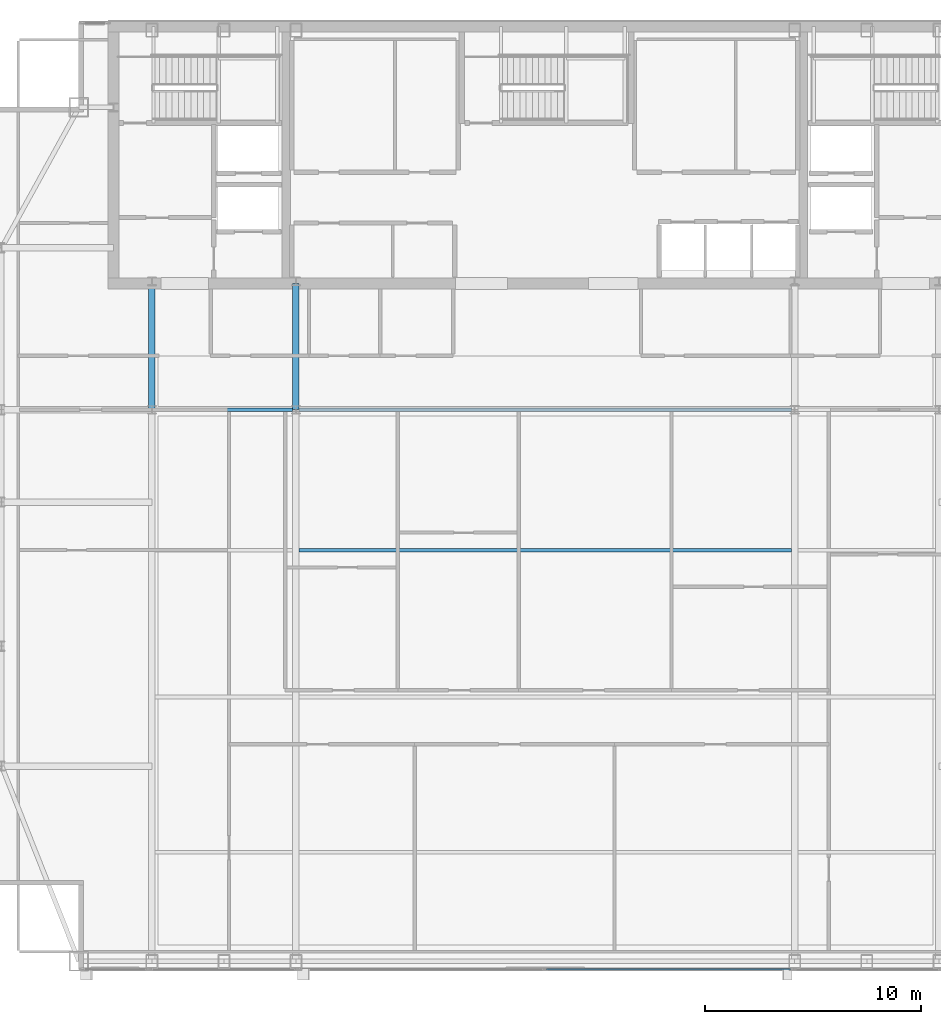
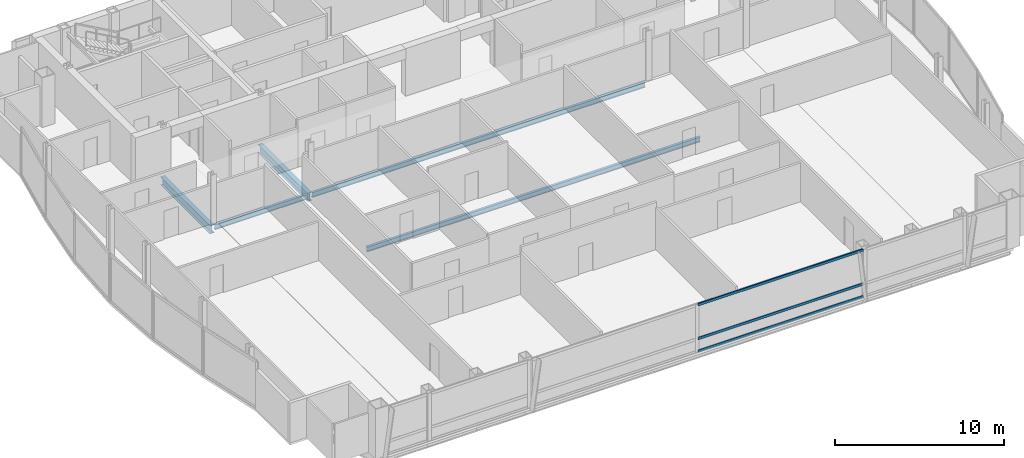
# One storey, part 13 of 29: 5 beams, 3 members, 1 element without a shape of its own.
"""IFC4 building model written with IfcOpenShell, lengths in metres."""

import ifcopenshell
import ifcopenshell.guid

model = None  # the IFC model being written
_history = None  # IfcOwnerHistory: only IFC2X3 demands one
_inside = {}  # id of a spatial element -> (the spatial element, [elements in it])
_under = {}  # id of a project, library or spatial element -> (it, [spatial elements below it])
_declared = {}  # id of a project -> (the project, [libraries it declares])
_typed = {}  # id of a type object -> (the type object, [elements of that type])
_made_of = {}  # id of a material, layer set ... -> (it, [elements and type objects made of it])


def new_model(schema):
    """Start an empty IFC model of exactly this schema.

    Asked for "IFC4X3", IfcOpenShell would pick the latest addendum, in which some entities
    have other attributes; the version numbers below select the first issue.
    IFC2X3 requires an IfcOwnerHistory on every rooted entity: one is made here for all.
    """
    global model, _history
    if schema == "IFC4X3":
        model = ifcopenshell.file(schema_version=(4, 3, 0, 0))
    else:
        model = ifcopenshell.file(schema=schema)
    _inside.clear()
    _under.clear()
    _declared.clear()
    _typed.clear()
    _made_of.clear()
    _history = None
    if model.schema == "IFC2X3":
        org = make("IfcOrganization", Name="unknown")
        user = make(
            "IfcPersonAndOrganization",
            ThePerson=make("IfcPerson", FamilyName="unknown"),
            TheOrganization=org,
        )
        app = make(
            "IfcApplication",
            ApplicationDeveloper=org,
            Version="unknown",
            ApplicationFullName="unknown",
            ApplicationIdentifier="unknown",
        )
        _history = make(
            "IfcOwnerHistory",
            OwningUser=user,
            OwningApplication=app,
            ChangeAction="ADDED",
            CreationDate=0,
        )
    return model


def make(cls, **values):
    """One entity of the class cls with the attributes given. An attribute that is None is left unset."""
    return model.create_entity(
        cls, **{name: value for name, value in values.items() if value is not None}
    )


def rooted(cls, **values):
    """An entity with a GlobalId (a new one), such as an element, a storey or a relation."""
    return make(cls, GlobalId=ifcopenshell.guid.new(), OwnerHistory=_history, **values)


def si_unit(unit_type, name, prefix=None):
    """IfcSIUnit, for example si_unit("LENGTHUNIT", "METRE", prefix="MILLI")."""
    return make("IfcSIUnit", UnitType=unit_type, Prefix=prefix, Name=name)


def assignment(units):
    """IfcUnitAssignment: the units of a project."""
    return None if units is None else make("IfcUnitAssignment", Units=units)


def point(xyz):
    """IfcCartesianPoint."""
    return None if xyz is None else make("IfcCartesianPoint", Coordinates=xyz)


def direction(xyz):
    """IfcDirection."""
    return None if xyz is None else make("IfcDirection", DirectionRatios=xyz)


def frame(location, z_axis=None, x_axis=None):
    """IfcAxis2Placement3D, a coordinate frame: its origin and axes. An axis left out is left unset."""
    return make(
        "IfcAxis2Placement3D",
        Location=point(location),
        Axis=direction(z_axis),
        RefDirection=direction(x_axis),
    )


def frame_2d(location, x_axis=None):
    """IfcAxis2Placement2D, a coordinate frame in the plane: its origin and x axis."""
    return make(
        "IfcAxis2Placement2D", Location=point(location), RefDirection=direction(x_axis)
    )


def origin():
    """The frame at (0, 0, 0) with its axes left unset."""
    return frame((0.0, 0.0, 0.0))


def origin_2d():
    """The frame at (0, 0) in the plane with its x axis left unset."""
    return frame_2d((0.0, 0.0))


def place(relative_to, where):
    """IfcLocalPlacement: puts the frame where relative to a parent placement (None: the world)."""
    return make(
        "IfcLocalPlacement", PlacementRelTo=relative_to, RelativePlacement=where
    )


def context(
    kind, dimensions, precision=None, world=None, true_north=None, identifier=None
):
    """IfcGeometricRepresentationContext, for example the 3D "Model" context."""
    return make(
        "IfcGeometricRepresentationContext",
        ContextIdentifier=identifier,
        ContextType=kind,
        CoordinateSpaceDimension=dimensions,
        Precision=precision,
        WorldCoordinateSystem=world,
        TrueNorth=true_north,
    )


def subcontext(parent, identifier, kind, view, scale=None):
    """IfcGeometricRepresentationSubContext, for example "Body" below "Model"."""
    return make(
        "IfcGeometricRepresentationSubContext",
        ContextIdentifier=identifier,
        ContextType=kind,
        ParentContext=parent,
        TargetScale=scale,
        TargetView=view,
    )


def project(units=None, contexts=None):
    """IfcProject with its units and contexts."""
    return rooted(
        "IfcProject",
        Name="project",
        RepresentationContexts=contexts,
        UnitsInContext=assignment(units),
    )


def spatial(cls, under=None, at=None, **own):
    """A site, building, storey or space (cls), placed at a placement, below another one or the project."""
    s = rooted(cls, ObjectPlacement=at, **own)
    if under is not None:
        _under.setdefault(under.id(), (under, []))[1].append(s)
    return s


def profile(cls, at=None, kind="AREA", **sizes):
    """A parametric profile (cls). Its sizes go by their IFC names, for example OverallWidth=200.0."""
    return make(cls, ProfileType=kind, Position=at, **sizes)


def hollow_rectangle(**sizes):
    """IfcRectangleHollowProfileDef."""
    return profile("IfcRectangleHollowProfileDef", **sizes)


def i_section(**sizes):
    """IfcIShapeProfileDef."""
    return profile("IfcIShapeProfileDef", **sizes)


def extrude(swept, where, along, depth):
    """IfcExtrudedAreaSolid: the profile swept, set in the frame where, extruded along a direction by depth."""
    return make(
        "IfcExtrudedAreaSolid",
        SweptArea=swept,
        Position=where,
        ExtrudedDirection=direction(along),
        Depth=depth,
    )


def shape(context_of_items, identifier, shape_type, items):
    """IfcShapeRepresentation: the items that make up one representation, for example the "Body"."""
    return make(
        "IfcShapeRepresentation",
        ContextOfItems=context_of_items,
        RepresentationIdentifier=identifier,
        RepresentationType=shape_type,
        Items=items,
    )


def material(Name=None, Category=None):
    """IfcMaterial."""
    return make("IfcMaterial", Name=Name, Category=Category)


def material_profile(
    of_material, cross_section, Name=None, Category=None, Priority=None
):
    """IfcMaterialProfile: a cross section and its material."""
    return make(
        "IfcMaterialProfile",
        Name=Name,
        Material=of_material,
        Profile=cross_section,
        Priority=Priority,
        Category=Category,
    )


def profile_set(profiles, Name=None, composite=None):
    """IfcMaterialProfileSet."""
    return make(
        "IfcMaterialProfileSet",
        Name=Name,
        MaterialProfiles=profiles,
        CompositeProfile=composite,
    )


def made_of(thing, what):
    """Note that an element or type object is made of a material, layer set ...; save() writes the relation."""
    if what is not None:
        _made_of.setdefault(what.id(), (what, []))[1].append(thing)
    return thing


def type_object(cls, material=None, **own):
    """A type object (cls), such as IfcWallType, which elements share."""
    return made_of(rooted(cls, **own), material)


def element(
    cls,
    number,
    at=None,
    inside=None,
    cuts=None,
    type_object=None,
    material=None,
    context=None,
    identifier="Body",
    shape_type=None,
    held_by="IfcProductDefinitionShape",
    body=None,
    shapes=None,
    **own,
):
    """One element of the class cls, such as IfcWall. Its Tag is "e" and its number.

    at: its placement. inside: the storey or other place that contains it. cuts: it is an
    opening in that element (IfcRelVoidsElement). A single representation is given by context,
    identifier, shape_type and body (its items); several are given by shapes. held_by: the class
    of the entity that holds the representations. save() writes the other relations.
    """
    e = rooted(cls, Tag="e%d" % number, ObjectPlacement=at, **own)
    if body is not None:
        shapes = [shape(context, identifier, shape_type, body)]
    if shapes is not None:
        e.Representation = make(held_by, Representations=shapes)
    if inside is not None:
        _inside.setdefault(inside.id(), (inside, []))[1].append(e)
    if cuts is not None:
        rooted(
            "IfcRelVoidsElement", RelatingBuildingElement=cuts, RelatedOpeningElement=e
        )
    if type_object is not None:
        _typed.setdefault(type_object.id(), (type_object, []))[1].append(e)
    return made_of(e, material)


def aggregate(whole, parts):
    """IfcRelAggregates: a whole, such as a stair, and the parts it consists of."""
    return rooted("IfcRelAggregates", RelatingObject=whole, RelatedObjects=parts)


def save(model, path):
    """Write the relations noted so far, then the file.

    IfcRelAggregates (storeys below a building ...), IfcRelContainedInSpatialStructure (elements
    in a storey), IfcRelDefinesByType, IfcRelAssociatesMaterial and IfcRelDeclares: one each for
    every whole, place, type object, material and project.
    """
    for whole, parts in _under.values():
        aggregate(whole, parts)
    for where, things in _inside.values():
        rooted(
            "IfcRelContainedInSpatialStructure",
            RelatedElements=things,
            RelatingStructure=where,
        )
    for kind, things in _typed.values():
        rooted("IfcRelDefinesByType", RelatedObjects=things, RelatingType=kind)
    for what, things in _made_of.values():
        rooted("IfcRelAssociatesMaterial", RelatedObjects=things, RelatingMaterial=what)
    for by, libraries in _declared.values():
        rooted("IfcRelDeclares", RelatingContext=by, RelatedDefinitions=libraries)
    model.write(path)


model = new_model("IFC4")

# Units and contexts
model_context = context("Model", 3, precision=1e-05, world=origin(), true_north=direction((0.0, 1.0)))
body_context = subcontext(model_context, "Body", "Model", "MODEL_VIEW")
ifc_project = project(units=[si_unit("LENGTHUNIT", "METRE"), si_unit("AREAUNIT", "SQUARE_METRE"), si_unit("VOLUMEUNIT", "CUBIC_METRE"), si_unit("PLANEANGLEUNIT", "RADIAN"), si_unit("MASSUNIT", "GRAM", prefix="KILO")], contexts=[model_context])

# Site, building, storey
site_placement = place(None, origin())
site = spatial("IfcSite", under=ifc_project, at=site_placement, CompositionType="ELEMENT")
building_placement = place(site_placement, origin())
building = spatial("IfcBuilding", under=site, at=building_placement, Name="Khoronbel Lancet Exchange", CompositionType="ELEMENT")
storey_placement = place(building_placement, frame((0.0, 0.0, 329.0)))
storey = spatial("IfcBuildingStorey", under=building, at=storey_placement, Name="L85", CompositionType="ELEMENT", Elevation=329.0)

# Beams
ifc_material_1 = material(Name="Steel S355", Category="steel")
ifc_material_profile_1 = material_profile(ifc_material_1, i_section(OverallWidth=0.300048828125, OverallDepth=0.60009765625, WebThickness=0.015380859375, FlangeThickness=0.030029296875, at=origin_2d()), Name="HEB 600")
ifc_profile_set_1 = profile_set([ifc_material_profile_1], Name="Steel S355")
beam_type_1 = type_object("IfcBeamType", Name="BM-BG5", PredefinedType="BEAM", material=ifc_profile_set_1)
for number, where, z_axis, x_axis, name in (
    (1, (18.22509765625, 35.699951171875, -0.4599609375), (0.0, 1.0, 0.0), (-1.0, 0.0, 0.0), "Level L85 spine tie girder GN1"),
    (2, (24.89990234375, 35.699951171875, -0.4599609375), (0.0, 1.0, 0.0), (-1.0, 0.0, 0.0), "Level L85 spine tie girder GN2"),
):
    element("IfcBeam", number, at=place(storey_placement, frame(where, z_axis=z_axis, x_axis=x_axis)), inside=storey, type_object=beam_type_1, Name=name, PredefinedType="BEAM", context=body_context, shape_type="SweptSolid", body=[
        extrude(i_section(OverallWidth=0.300048828125, OverallDepth=0.60009765625, WebThickness=0.015380859375, FlangeThickness=0.030029296875, at=origin_2d()), origin(), (0.0, 0.0, 1.0), 5.85009765625),
    ])
ifc_material_profile_2 = material_profile(ifc_material_1, i_section(OverallWidth=0.169921875, OverallDepth=0.360107421875, WebThickness=0.008056640625, FlangeThickness=0.0126953125, at=origin_2d()), Name="IPE 360")
ifc_profile_set_2 = profile_set([ifc_material_profile_2], Name="Steel S355")
beam_type_2 = type_object("IfcBeamType", Name="BM-BJ6", PredefinedType="JOIST", material=ifc_profile_set_2)
beam_1_placement = place(storey_placement, frame((25.050048828125, 29.199951171875, -0.340087890625), z_axis=(1.0, 0.0, 0.0), x_axis=(0.0, 1.0, 0.0)))
element("IfcBeam", 3, at=beam_1_placement, inside=storey, type_object=beam_type_2, Name="Level L85 secondary composite joist J08", PredefinedType="JOIST", context=body_context, shape_type="SweptSolid", body=[
    extrude(i_section(OverallWidth=0.169921875, OverallDepth=0.360107421875, WebThickness=0.008056640625, FlangeThickness=0.0126953125, at=origin_2d()), origin(), (0.0, 0.0, 1.0), 22.800048828125),
])
beam_2_placement = place(storey_placement, frame((18.375, 35.699951171875, -0.340087890625), z_axis=(1.0, 0.0, 0.0), x_axis=(0.0, 1.0, 0.0)))
element("IfcBeam", 4, at=beam_2_placement, inside=storey, type_object=beam_type_2, Name="Level L85 secondary composite joist J10", PredefinedType="JOIST", context=body_context, shape_type="SweptSolid", body=[
    extrude(i_section(OverallWidth=0.169921875, OverallDepth=0.360107421875, WebThickness=0.008056640625, FlangeThickness=0.0126953125, at=origin_2d()), origin(), (0.0, 0.0, 1.0), 6.375),
])
beam_3_placement = place(storey_placement, frame((25.050048828125, 35.699951171875, -0.340087890625), z_axis=(1.0, 0.0, 0.0), x_axis=(0.0, 1.0, 0.0)))
element("IfcBeam", 5, at=beam_3_placement, inside=storey, type_object=beam_type_2, Name="Level L85 secondary composite joist J11", PredefinedType="JOIST", context=body_context, shape_type="SweptSolid", body=[
    extrude(i_section(OverallWidth=0.169921875, OverallDepth=0.360107421875, WebThickness=0.008056640625, FlangeThickness=0.0126953125, at=origin_2d()), origin(), (0.0, 0.0, 1.0), 22.800048828125),
])

# Curtain wall, members
ifc_material_2 = material(Name="Low-E Solar Control Insulating Glass", Category="glass")
curtain_wall_type = type_object("IfcCurtainWallType", Name="CW-3", PredefinedType="NOTDEFINED", material=ifc_material_2)
curtain_wall_placement = place(storey_placement, origin())
curtain_wall = element("IfcCurtainWall", 6, at=curtain_wall_placement, inside=storey, type_object=curtain_wall_type, Name="Unitised curtain wall CW-L85-SCV", PredefinedType="NOTDEFINED")
ifc_material_3 = material(Name="Bronze-Anodised Aluminium 6063-T6", Category="aluminium")
ifc_material_profile_3 = material_profile(ifc_material_3, hollow_rectangle(XDim=0.0849609375, YDim=0.179931640625, WallThickness=0.0048828125, at=origin_2d()), Name="ALU TRANSOM 85x180")
ifc_profile_set_3 = profile_set([ifc_material_profile_3], Name="Bronze-Anodised Aluminium 6063-T6")
member_type = type_object("IfcMemberType", Name="MEM-CWT1", PredefinedType="USERDEFINED", material=ifc_profile_set_3)
member_1_placement = place(storey_placement, frame((36.492431640625, 9.7900390625, 0.04248046875), z_axis=(1.0, 0.0, 0.0), x_axis=(0.0, 1.0, 0.0)))
member_1 = element("IfcMember", 7, at=member_1_placement, type_object=member_type, Name="CW3 transom 2.1", ObjectType="TRANSOM", PredefinedType="USERDEFINED", context=body_context, shape_type="SweptSolid", body=[
    extrude(hollow_rectangle(XDim=0.0849609375, YDim=0.179931640625, WallThickness=0.0048828125, at=origin_2d()), origin(), (0.0, 0.0, 1.0), 11.322509765625),
])
member_2_placement = place(storey_placement, frame((36.492431640625, 9.7900390625, 0.949951171875), z_axis=(1.0, 0.0, 0.0), x_axis=(0.0, 1.0, 0.0)))
member_2 = element("IfcMember", 8, at=member_2_placement, type_object=member_type, Name="CW3 transom 2.2", ObjectType="TRANSOM", PredefinedType="USERDEFINED", context=body_context, shape_type="SweptSolid", body=[
    extrude(hollow_rectangle(XDim=0.0849609375, YDim=0.179931640625, WallThickness=0.0048828125, at=origin_2d()), origin(), (0.0, 0.0, 1.0), 11.322509765625),
])
member_3_placement = place(storey_placement, frame((36.492431640625, 9.7900390625, 3.3974609375), z_axis=(1.0, 0.0, 0.0), x_axis=(0.0, 1.0, 0.0)))
member_3 = element("IfcMember", 9, at=member_3_placement, type_object=member_type, Name="CW3 transom 2.3", ObjectType="TRANSOM", PredefinedType="USERDEFINED", context=body_context, shape_type="SweptSolid", body=[
    extrude(hollow_rectangle(XDim=0.0849609375, YDim=0.179931640625, WallThickness=0.0048828125, at=origin_2d()), origin(), (0.0, 0.0, 1.0), 11.322509765625),
])
aggregate(curtain_wall, [member_1, member_2, member_3])

save(model, "model.ifc")
